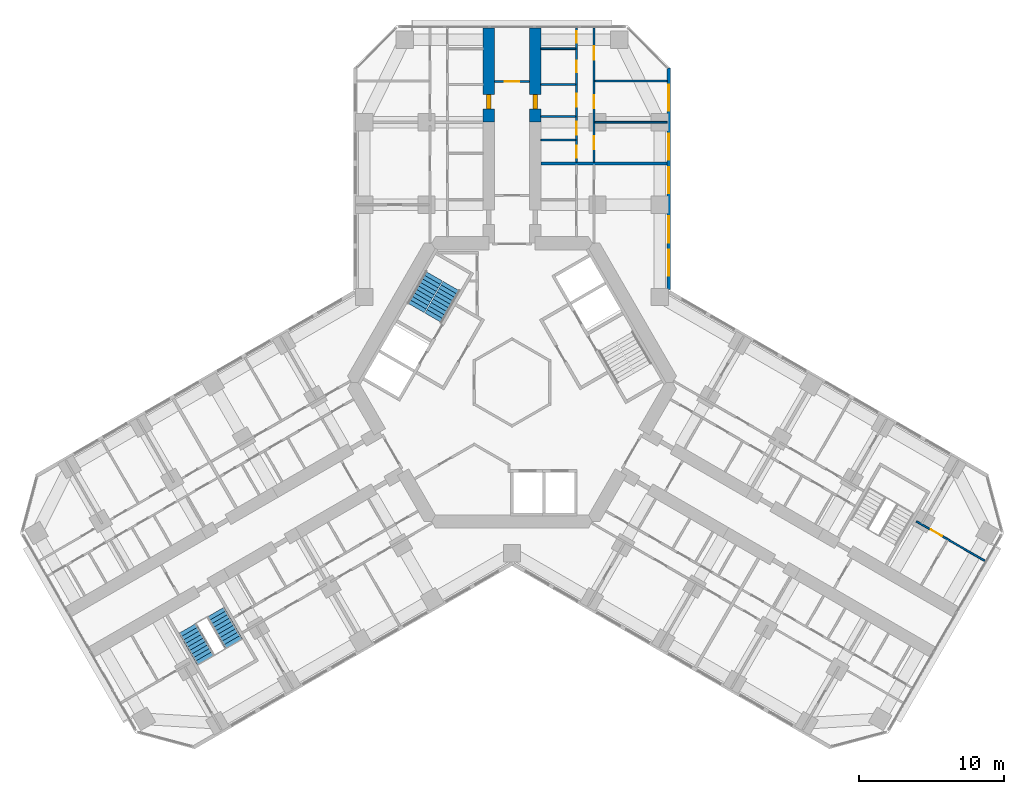
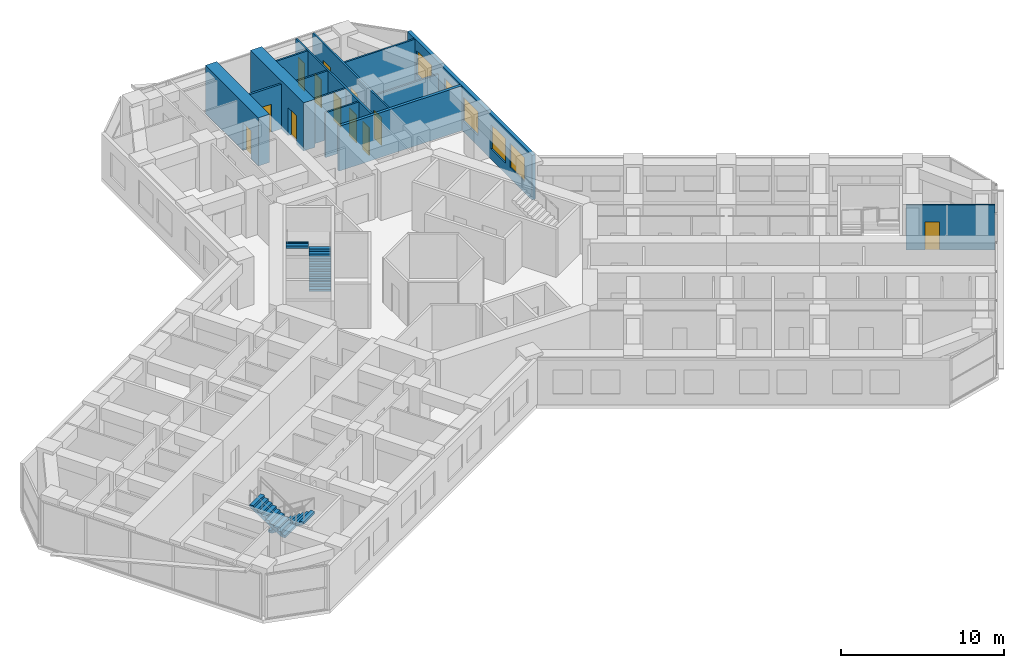
# One storey, part 18 of 20: 14 walls, 12 doors, 5 windows, 4 stair flights, 17 openings, 2 elements without a shape of their own.
"""IFC4 building model written with IfcOpenShell, lengths in metres."""

from ifc_helpers import new_model, si_unit, direction, frame, frame_2d, origin, place, context, subcontext, project, spatial, polyline, rectangle, outline, extrude, material, layer, layer_set, type_object, element, fill, aggregate, save


model = new_model("IFC4")

# Units and contexts
model_context = context("Model", 3, precision=1e-05, world=origin(), true_north=direction((0.0, 1.0)))
body_context = subcontext(model_context, "Body", "Model", "MODEL_VIEW")
ifc_project = project(units=[si_unit("LENGTHUNIT", "METRE"), si_unit("AREAUNIT", "SQUARE_METRE"), si_unit("VOLUMEUNIT", "CUBIC_METRE"), si_unit("PLANEANGLEUNIT", "RADIAN"), si_unit("MASSUNIT", "GRAM", prefix="KILO")], contexts=[model_context])

# Site, building, storey
site_placement = place(None, origin())
site = spatial("IfcSite", under=ifc_project, at=site_placement, CompositionType="ELEMENT")
building_placement = place(site_placement, origin())
building = spatial("IfcBuilding", under=site, at=building_placement, Name="Kosmar Iwan School Tower", CompositionType="ELEMENT")
storey_placement = place(building_placement, frame((0.0, 0.0, 123.800048828125)))
storey = spatial("IfcBuildingStorey", under=building, at=storey_placement, Name="L30", CompositionType="ELEMENT", Elevation=123.800048828125)

# Wall, opening, door
ifc_material_1 = material(Name="Concrete C50/60", Category="concrete")
ifc_layer_1 = layer(ifc_material_1, 0.800048828125)
ifc_layer_set_1 = layer_set([ifc_layer_1], Name="Corridor buttress wall 800")
wall_type_1 = type_object("IfcWallType", Name="Corridor buttress wall 800", PredefinedType="SHEAR", material=ifc_layer_set_1)
wall_1_placement = place(storey_placement, frame((-1.60009765625, 17.949951171875, 0.0), z_axis=(0.0, 0.0, 1.0), x_axis=(0.0, 1.0, 0.0)))
wall_1 = element("IfcWall", 1, at=wall_1_placement, inside=storey, type_object=wall_type_1, Name="Corridor wall AL bay 2", PredefinedType="SHEAR", context=body_context, shape_type="SweptSolid", body=[
    extrude(rectangle(XDim=6.4951171875, YDim=0.800048828125, at=frame_2d((3.24755859375, 0.0))), origin(), (0.0, 0.0, 1.0), 3.599853515625),
])
opening_1_placement = place(wall_1_placement, frame((0.89990234375, 0.0, 0.0)))
opening_1 = element("IfcOpeningElement", 2, at=opening_1_placement, cuts=wall_1, Name="Opening D1", PredefinedType="OPENING", context=body_context, shape_type="SweptSolid", body=[
    extrude(rectangle(XDim=1.0, YDim=2.10009765625, at=frame_2d((0.5, 1.050048828125))), frame((0.0, 0.412109375, 0.0), z_axis=(0.0, -1.0, 0.0), x_axis=(1.0, 0.0, 0.0)), (0.0, 0.0, 1.0), 0.823974609375),
])
ifc_material_2 = material(Name="Timber fire door in steel frame", Category="steel")
door_type_1 = type_object("IfcDoorType", Name="Flat entrance door 1000x2100", OperationType="SINGLE_SWING_LEFT", PredefinedType="DOOR", material=ifc_material_2)
door_1_placement = place(opening_1_placement, origin())
door_1 = element("IfcDoor", 3, at=door_1_placement, inside=storey, type_object=door_type_1, Name="Flat L30-AL2 entrance door", OperationType="SINGLE_SWING_RIGHT", OverallHeight=2.10009765625, OverallWidth=1.0, PredefinedType="DOOR", context=body_context, shape_type="SweptSolid", body=[
    extrude(rectangle(XDim=1.0, YDim=2.10009765625, at=frame_2d((0.5, 1.050048828125))), frame((0.0, 0.14990234375, 0.0), z_axis=(0.0, -1.0, 0.0), x_axis=(1.0, 0.0, 0.0)), (0.0, 0.0, 1.0), 0.300048828125),
])
fill(opening_1, door_1)

wall_2_placement = place(storey_placement, frame((1.60009765625, 17.949951171875, 0.0), z_axis=(0.0, 0.0, 1.0), x_axis=(0.0, 1.0, 0.0)))
wall_2 = element("IfcWall", 4, at=wall_2_placement, inside=storey, type_object=wall_type_1, Name="Corridor wall AR bay 2", PredefinedType="SHEAR", context=body_context, shape_type="SweptSolid", body=[
    extrude(rectangle(XDim=6.4951171875, YDim=0.800048828125, at=frame_2d((3.24755859375, 0.0))), origin(), (0.0, 0.0, 1.0), 3.599853515625),
])
opening_2_placement = place(wall_2_placement, frame((0.89990234375, 0.0, 0.0)))
opening_2 = element("IfcOpeningElement", 5, at=opening_2_placement, cuts=wall_2, Name="Opening D1", PredefinedType="OPENING", context=body_context, shape_type="SweptSolid", body=[
    extrude(rectangle(XDim=1.0, YDim=2.10009765625, at=frame_2d((0.5, 1.050048828125))), frame((0.0, 0.412109375, 0.0), z_axis=(0.0, -1.0, 0.0), x_axis=(1.0, 0.0, 0.0)), (0.0, 0.0, 1.0), 0.823974609375),
])
door_2_placement = place(opening_2_placement, origin())
door_2 = element("IfcDoor", 6, at=door_2_placement, inside=storey, type_object=door_type_1, Name="Flat L30-AR2 entrance door", OperationType="SINGLE_SWING_RIGHT", OverallHeight=2.10009765625, OverallWidth=1.0, PredefinedType="DOOR", context=body_context, shape_type="SweptSolid", body=[
    extrude(rectangle(XDim=1.0, YDim=2.10009765625, at=frame_2d((0.5, 1.050048828125))), frame((0.0, 0.14990234375, 0.0), z_axis=(0.0, -1.0, 0.0), x_axis=(1.0, 0.0, 0.0)), (0.0, 0.0, 1.0), 0.300048828125),
])
fill(opening_2, door_2)

ifc_material_3 = material(Name="Gypsum board on steel studs, fire-rated", Category="steel")
ifc_layer_2 = layer(ifc_material_3, 0.14990234375)
ifc_layer_set_2 = layer_set([ifc_layer_2], Name="Corridor end wall 150")
wall_type_2 = type_object("IfcWallType", Name="Corridor end wall 150", PredefinedType="PARTITIONING", material=ifc_layer_set_2)
wall_3_placement = place(storey_placement, frame((1.199951171875, 20.75, 0.0), z_axis=(0.0, 0.0, 1.0), x_axis=(-1.0, 0.0, 0.0)))
wall_3 = element("IfcWall", 7, at=wall_3_placement, inside=storey, type_object=wall_type_2, Name="Partition L30-A-CE", PredefinedType="PARTITIONING", context=body_context, shape_type="SweptSolid", body=[
    extrude(rectangle(XDim=2.39990234375, YDim=0.14990234375, at=frame_2d((1.199951171875, 0.0))), origin(), (0.0, 0.0, 1.0), 3.349853515625),
])
opening_3_placement = place(wall_3_placement, frame((0.699951171875, 0.0, 0.0)))
opening_3 = element("IfcOpeningElement", 8, at=opening_3_placement, cuts=wall_3, Name="Opening D13", PredefinedType="OPENING", context=body_context, shape_type="SweptSolid", body=[
    extrude(rectangle(XDim=1.0, YDim=2.10009765625, at=frame_2d((0.5, 1.050048828125))), frame((0.0, 0.0869140625, 0.0), z_axis=(0.0, -1.0, 0.0), x_axis=(1.0, 0.0, 0.0)), (0.0, 0.0, 1.0), 0.173828125),
])
ifc_material_4 = material(Name="Timber fire door with vision panel", Category="wood")
door_type_2 = type_object("IfcDoorType", Name="Corridor end door 1000x2100", OperationType="SINGLE_SWING_LEFT", PredefinedType="DOOR", material=ifc_material_4)
door_3_placement = place(opening_3_placement, origin())
door_3 = element("IfcDoor", 9, at=door_3_placement, inside=storey, type_object=door_type_2, Name="Prayer room door L30-A", OperationType="SINGLE_SWING_LEFT", OverallHeight=2.10009765625, OverallWidth=1.0, PredefinedType="DOOR", context=body_context, shape_type="SweptSolid", body=[
    extrude(rectangle(XDim=1.0, YDim=2.10009765625, at=frame_2d((0.5, 1.050048828125))), frame((0.0, 0.02490234375, 0.0), z_axis=(0.0, -1.0, 0.0), x_axis=(1.0, 0.0, 0.0)), (0.0, 0.0, 1.0), 0.050048828125),
])
fill(opening_3, door_3)

# Wall, openings, doors
ifc_material_5 = material(Name="Gypsum board on steel studs", Category="steel")
ifc_layer_3 = layer(ifc_material_5, 0.1201171875)
ifc_layer_set_3 = layer_set([ifc_layer_3], Name="Dwelling partition 120")
wall_type_3 = type_object("IfcWallType", Name="Dwelling partition 120", PredefinedType="PARTITIONING", material=ifc_layer_set_3)
wall_4_placement = place(storey_placement, frame((4.449951171875, 15.199951171875, 0.0), z_axis=(0.0, 0.0, 1.0), x_axis=(0.0, 1.0, 0.0)))
wall_4 = element("IfcWall", 10, at=wall_4_placement, inside=storey, type_object=wall_type_3, Name="Partition L30-AR2-W1", PredefinedType="PARTITIONING", context=body_context, shape_type="SweptSolid", body=[
    extrude(rectangle(XDim=9.2451171875, YDim=0.1201171875, at=frame_2d((4.62255859375, 0.0))), origin(), (0.0, 0.0, 1.0), 3.349853515625),
])
opening_4_placement = place(wall_4_placement, frame((0.3125, 0.0, 0.0)))
opening_4 = element("IfcOpeningElement", 11, at=opening_4_placement, cuts=wall_4, Name="Opening D3", PredefinedType="OPENING", context=body_context, shape_type="SweptSolid", body=[
    extrude(rectangle(XDim=0.800048828125, YDim=2.10009765625, at=frame_2d((0.39990234375, 1.050048828125))), frame((0.0, 0.072021484375, 0.0), z_axis=(0.0, -1.0, 0.0), x_axis=(1.0, 0.0, 0.0)), (0.0, 0.0, 1.0), 0.14404296875),
])
opening_5_placement = place(wall_4_placement, frame((1.887451171875, 0.0, 0.0)))
opening_5 = element("IfcOpeningElement", 12, at=opening_5_placement, cuts=wall_4, Name="Opening D2", PredefinedType="OPENING", context=body_context, shape_type="SweptSolid", body=[
    extrude(rectangle(XDim=0.89990234375, YDim=2.10009765625, at=frame_2d((0.449951171875, 1.050048828125))), frame((0.0, 0.072021484375, 0.0), z_axis=(0.0, -1.0, 0.0), x_axis=(1.0, 0.0, 0.0)), (0.0, 0.0, 1.0), 0.14404296875),
])
opening_6_placement = place(wall_4_placement, frame((3.800048828125, 0.0, 0.0)))
opening_6 = element("IfcOpeningElement", 13, at=opening_6_placement, cuts=wall_4, Name="Opening D2", PredefinedType="OPENING", context=body_context, shape_type="SweptSolid", body=[
    extrude(rectangle(XDim=0.89990234375, YDim=2.10009765625, at=frame_2d((0.449951171875, 1.050048828125))), frame((0.0, 0.072021484375, 0.0), z_axis=(0.0, -1.0, 0.0), x_axis=(1.0, 0.0, 0.0)), (0.0, 0.0, 1.0), 0.14404296875),
])
opening_7_placement = place(wall_4_placement, frame((6.179931640625, 0.0, 0.0)))
opening_7 = element("IfcOpeningElement", 14, at=opening_7_placement, cuts=wall_4, Name="Opening D3", PredefinedType="OPENING", context=body_context, shape_type="SweptSolid", body=[
    extrude(rectangle(XDim=0.800048828125, YDim=2.10009765625, at=frame_2d((0.39990234375, 1.050048828125))), frame((0.0, 0.072021484375, 0.0), z_axis=(0.0, -1.0, 0.0), x_axis=(1.0, 0.0, 0.0)), (0.0, 0.0, 1.0), 0.14404296875),
])
opening_8_placement = place(wall_4_placement, frame((8.22998046875, 0.0, 0.0)))
opening_8 = element("IfcOpeningElement", 15, at=opening_8_placement, cuts=wall_4, Name="Opening D3", PredefinedType="OPENING", context=body_context, shape_type="SweptSolid", body=[
    extrude(rectangle(XDim=0.800048828125, YDim=2.10009765625, at=frame_2d((0.39990234375, 1.050048828125))), frame((0.0, 0.072021484375, 0.0), z_axis=(0.0, -1.0, 0.0), x_axis=(1.0, 0.0, 0.0)), (0.0, 0.0, 1.0), 0.14404296875),
])
ifc_material_6 = material(Name="Timber door in timber frame", Category="wood")
door_type_3 = type_object("IfcDoorType", Name="Internal door 900x2100", OperationType="SINGLE_SWING_LEFT", PredefinedType="DOOR", material=ifc_material_6)
door_4_placement = place(opening_5_placement, origin())
door_4 = element("IfcDoor", 16, at=door_4_placement, inside=storey, type_object=door_type_3, Name="Pantry door L30-AR2-S2", OperationType="SINGLE_SWING_LEFT", OverallHeight=2.10009765625, OverallWidth=0.89990234375, PredefinedType="DOOR", context=body_context, shape_type="SweptSolid", body=[
    extrude(rectangle(XDim=0.89990234375, YDim=2.10009765625, at=frame_2d((0.449951171875, 1.050048828125))), frame((0.0, 0.02490234375, 0.0), z_axis=(0.0, -1.0, 0.0), x_axis=(1.0, 0.0, 0.0)), (0.0, 0.0, 1.0), 0.050048828125),
])
fill(opening_5, door_4)
door_5_placement = place(opening_6_placement, origin())
door_5 = element("IfcDoor", 17, at=door_5_placement, inside=storey, type_object=door_type_3, Name="Entrance hall door L30-AR2-S3", OperationType="SINGLE_SWING_RIGHT", OverallHeight=2.10009765625, OverallWidth=0.89990234375, PredefinedType="DOOR", context=body_context, shape_type="SweptSolid", body=[
    extrude(rectangle(XDim=0.89990234375, YDim=2.10009765625, at=frame_2d((0.449951171875, 1.050048828125))), frame((0.0, 0.02490234375, 0.0), z_axis=(0.0, -1.0, 0.0), x_axis=(1.0, 0.0, 0.0)), (0.0, 0.0, 1.0), 0.050048828125),
])
fill(opening_6, door_5)
ifc_material_7 = material(Name="Timber door in timber frame", Category="wood")
door_type_4 = type_object("IfcDoorType", Name="Sanitary room door 800x2100", OperationType="SINGLE_SWING_LEFT", PredefinedType="DOOR", material=ifc_material_7)
door_6_placement = place(opening_4_placement, origin())
door_6 = element("IfcDoor", 18, at=door_6_placement, inside=storey, type_object=door_type_4, Name="Store door L30-AR2-S1", OperationType="SINGLE_SWING_RIGHT", OverallHeight=2.10009765625, OverallWidth=0.800048828125, PredefinedType="DOOR", context=body_context, shape_type="SweptSolid", body=[
    extrude(rectangle(XDim=0.800048828125, YDim=2.10009765625, at=frame_2d((0.39990234375, 1.050048828125))), frame((0.0, 0.02490234375, 0.0), z_axis=(0.0, -1.0, 0.0), x_axis=(1.0, 0.0, 0.0)), (0.0, 0.0, 1.0), 0.050048828125),
])
fill(opening_4, door_6)
door_7_placement = place(opening_7_placement, origin())
door_7 = element("IfcDoor", 19, at=door_7_placement, inside=storey, type_object=door_type_4, Name="Bathroom door L30-AR2-S4", OperationType="SINGLE_SWING_LEFT", OverallHeight=2.10009765625, OverallWidth=0.800048828125, PredefinedType="DOOR", context=body_context, shape_type="SweptSolid", body=[
    extrude(rectangle(XDim=0.800048828125, YDim=2.10009765625, at=frame_2d((0.39990234375, 1.050048828125))), frame((0.0, 0.02490234375, 0.0), z_axis=(0.0, -1.0, 0.0), x_axis=(1.0, 0.0, 0.0)), (0.0, 0.0, 1.0), 0.050048828125),
])
fill(opening_7, door_7)
door_8_placement = place(opening_8_placement, origin())
door_8 = element("IfcDoor", 20, at=door_8_placement, inside=storey, type_object=door_type_4, Name="WC door L30-AR2-S5", OperationType="SINGLE_SWING_RIGHT", OverallHeight=2.10009765625, OverallWidth=0.800048828125, PredefinedType="DOOR", context=body_context, shape_type="SweptSolid", body=[
    extrude(rectangle(XDim=0.800048828125, YDim=2.10009765625, at=frame_2d((0.39990234375, 1.050048828125))), frame((0.0, 0.02490234375, 0.0), z_axis=(0.0, -1.0, 0.0), x_axis=(1.0, 0.0, 0.0)), (0.0, 0.0, 1.0), 0.050048828125),
])
fill(opening_8, door_8)

wall_5_placement = place(storey_placement, frame((5.64990234375, 15.199951171875, 0.0), z_axis=(0.0, 0.0, 1.0), x_axis=(0.0, 1.0, 0.0)))
wall_5 = element("IfcWall", 21, at=wall_5_placement, inside=storey, type_object=wall_type_3, Name="Partition L30-AR2-W2", PredefinedType="PARTITIONING", context=body_context, shape_type="SweptSolid", body=[
    extrude(rectangle(XDim=9.2451171875, YDim=0.1201171875, at=frame_2d((4.62255859375, 0.0))), origin(), (0.0, 0.0, 1.0), 3.349853515625),
])
opening_9_placement = place(wall_5_placement, frame((0.875, 0.0, 0.0)))
opening_9 = element("IfcOpeningElement", 22, at=opening_9_placement, cuts=wall_5, Name="Opening D2", PredefinedType="OPENING", context=body_context, shape_type="SweptSolid", body=[
    extrude(rectangle(XDim=0.89990234375, YDim=2.10009765625, at=frame_2d((0.449951171875, 1.050048828125))), frame((0.0, 0.072021484375, 0.0), z_axis=(0.0, -1.0, 0.0), x_axis=(1.0, 0.0, 0.0)), (0.0, 0.0, 1.0), 0.14404296875),
])
opening_10_placement = place(wall_5_placement, frame((3.72509765625, 0.0, 0.0)))
opening_10 = element("IfcOpeningElement", 23, at=opening_10_placement, cuts=wall_5, Name="Opening D2", PredefinedType="OPENING", context=body_context, shape_type="SweptSolid", body=[
    extrude(rectangle(XDim=0.89990234375, YDim=2.10009765625, at=frame_2d((0.449951171875, 1.050048828125))), frame((0.0, 0.072021484375, 0.0), z_axis=(0.0, -1.0, 0.0), x_axis=(1.0, 0.0, 0.0)), (0.0, 0.0, 1.0), 0.14404296875),
])
opening_11_placement = place(wall_5_placement, frame((7.074951171875, 0.0, 0.0)))
opening_11 = element("IfcOpeningElement", 24, at=opening_11_placement, cuts=wall_5, Name="Opening D2", PredefinedType="OPENING", context=body_context, shape_type="SweptSolid", body=[
    extrude(rectangle(XDim=0.89990234375, YDim=2.10009765625, at=frame_2d((0.449951171875, 1.050048828125))), frame((0.0, 0.072021484375, 0.0), z_axis=(0.0, -1.0, 0.0), x_axis=(1.0, 0.0, 0.0)), (0.0, 0.0, 1.0), 0.14404296875),
])
door_9_placement = place(opening_9_placement, origin())
door_9 = element("IfcDoor", 25, at=door_9_placement, inside=storey, type_object=door_type_3, Name="Family room and kitchen door L30-AR2-F1", OperationType="SINGLE_SWING_LEFT", OverallHeight=2.10009765625, OverallWidth=0.89990234375, PredefinedType="DOOR", context=body_context, shape_type="SweptSolid", body=[
    extrude(rectangle(XDim=0.89990234375, YDim=2.10009765625, at=frame_2d((0.449951171875, 1.050048828125))), frame((0.0, 0.02490234375, 0.0), z_axis=(0.0, -1.0, 0.0), x_axis=(1.0, 0.0, 0.0)), (0.0, 0.0, 1.0), 0.050048828125),
])
fill(opening_9, door_9)
door_10_placement = place(opening_10_placement, origin())
door_10 = element("IfcDoor", 26, at=door_10_placement, inside=storey, type_object=door_type_3, Name="Guest reception room door L30-AR2-F2", OperationType="SINGLE_SWING_LEFT", OverallHeight=2.10009765625, OverallWidth=0.89990234375, PredefinedType="DOOR", context=body_context, shape_type="SweptSolid", body=[
    extrude(rectangle(XDim=0.89990234375, YDim=2.10009765625, at=frame_2d((0.449951171875, 1.050048828125))), frame((0.0, 0.02490234375, 0.0), z_axis=(0.0, -1.0, 0.0), x_axis=(1.0, 0.0, 0.0)), (0.0, 0.0, 1.0), 0.050048828125),
])
fill(opening_10, door_10)
door_11_placement = place(opening_11_placement, origin())
door_11 = element("IfcDoor", 27, at=door_11_placement, inside=storey, type_object=door_type_3, Name="Bedroom 1 door L30-AR2-F3", OperationType="SINGLE_SWING_RIGHT", OverallHeight=2.10009765625, OverallWidth=0.89990234375, PredefinedType="DOOR", context=body_context, shape_type="SweptSolid", body=[
    extrude(rectangle(XDim=0.89990234375, YDim=2.10009765625, at=frame_2d((0.449951171875, 1.050048828125))), frame((0.0, 0.02490234375, 0.0), z_axis=(0.0, -1.0, 0.0), x_axis=(1.0, 0.0, 0.0)), (0.0, 0.0, 1.0), 0.050048828125),
])
fill(opening_11, door_11)

# Walls
wall_6_placement = place(storey_placement, frame((5.7099609375, 17.949951171875, 0.0), z_axis=(0.0, 0.0, 1.0), x_axis=(1.0, 0.0, 0.0)))
element("IfcWall", 28, at=wall_6_placement, inside=storey, type_object=wall_type_3, Name="Partition L30-AR2-X1", PredefinedType="PARTITIONING", context=body_context, shape_type="SweptSolid", body=[
    extrude(rectangle(XDim=4.989990234375, YDim=0.1201171875, at=frame_2d((2.4951171875, 0.0))), origin(), (0.0, 0.0, 1.0), 2.449951171875),
])
wall_7_placement = place(storey_placement, frame((5.7099609375, 20.800048828125, 0.0), z_axis=(0.0, 0.0, 1.0), x_axis=(1.0, 0.0, 0.0)))
element("IfcWall", 29, at=wall_7_placement, inside=storey, type_object=wall_type_3, Name="Partition L30-AR2-X2", PredefinedType="PARTITIONING", context=body_context, shape_type="SweptSolid", body=[
    extrude(rectangle(XDim=4.989990234375, YDim=0.1201171875, at=frame_2d((2.4951171875, 0.0))), origin(), (0.0, 0.0, 1.0), 3.349853515625),
])
for number, where, z_axis, x_axis, name in (
    (30, (2.0, 16.72509765625, 0.0), (0.0, 0.0, 1.0), (1.0, 0.0, 0.0), "Partition L30-AR2-Y1"),
    (31, (2.0, 18.35009765625, 0.0), (0.0, 0.0, 1.0), (1.0, 0.0, 0.0), "Partition L30-AR2-Y2"),
    (32, (2.0, 20.550048828125, 0.0), (0.0, 0.0, 1.0), (1.0, 0.0, 0.0), "Partition L30-AR2-Y3"),
    (33, (2.0, 23.010009765625, 0.0), (0.0, 0.0, 1.0), (1.0, 0.0, 0.0), "Partition L30-AR2-Y4"),
):
    element("IfcWall", number, at=place(storey_placement, frame(where, z_axis=z_axis, x_axis=x_axis)), inside=storey, type_object=wall_type_3, Name=name, PredefinedType="PARTITIONING", context=body_context, shape_type="SweptSolid", body=[
        extrude(rectangle(XDim=2.389892578125, YDim=0.1201171875, at=frame_2d((1.19482421875, 0.0))), origin(), (0.0, 0.0, 1.0), 3.349853515625),
    ])

# Wall, opening, door
wall_8_placement = place(storey_placement, frame((27.896484375, -9.58203125, 0.0), z_axis=(0.0, 0.0, 1.0), x_axis=(0.866035508231, -0.499982498177, 0.0)))
wall_8 = element("IfcWall", 34, at=wall_8_placement, inside=storey, type_object=wall_type_3, Name="Partition L30-CL2-TW", PredefinedType="PARTITIONING", context=body_context, shape_type="SweptSolid", body=[
    extrude(rectangle(XDim=5.445068359375, YDim=0.1201171875, at=frame_2d((2.72265625, 0.0))), origin(), (0.0, 0.0, 1.0), 3.349853515625),
])
opening_12_placement = place(wall_8_placement, frame((1.14990234375, 0.0, 0.0)))
opening_12 = element("IfcOpeningElement", 35, at=opening_12_placement, cuts=wall_8, Name="Opening D2", PredefinedType="OPENING", context=body_context, shape_type="SweptSolid", body=[
    extrude(rectangle(XDim=0.89990234375, YDim=2.10009765625, at=frame_2d((0.449951171875, 1.050048828125))), frame((0.0, 0.072021484375, 0.0), z_axis=(0.0, -1.0, 0.0), x_axis=(1.0, 0.0, 0.0)), (0.0, 0.0, 1.0), 0.14404296875),
])
door_12_placement = place(opening_12_placement, origin())
door_12 = element("IfcDoor", 36, at=door_12_placement, inside=storey, type_object=door_type_3, Name="Dressing room door L30-CL2-T3", OperationType="SINGLE_SWING_LEFT", OverallHeight=2.10009765625, OverallWidth=0.89990234375, PredefinedType="DOOR", context=body_context, shape_type="SweptSolid", body=[
    extrude(rectangle(XDim=0.89990234375, YDim=2.10009765625, at=frame_2d((0.449951171875, 1.050048828125))), frame((0.0, 0.02490234375, 0.0), z_axis=(0.0, -1.0, 0.0), x_axis=(1.0, 0.0, 0.0)), (0.0, 0.0, 1.0), 0.050048828125),
])
fill(opening_12, door_12)

# Wall, openings, windows
ifc_material_8 = material(Name="Black aluminium rainscreen on insulated framing", Category="aluminium")
ifc_layer_4 = layer(ifc_material_8, 0.25)
ifc_layer_set_4 = layer_set([ifc_layer_4], Name="External wall rainscreen 250")
wall_type_4 = type_object("IfcWallType", Name="External wall rainscreen 250", PredefinedType="SOLIDWALL", material=ifc_layer_set_4)
wall_9_placement = place(storey_placement, frame((10.824951171875, 6.408935546875, 0.0), z_axis=(0.0, 0.0, 1.0), x_axis=(0.0, 1.0, 0.0)))
wall_9 = element("IfcWall", 37, at=wall_9_placement, inside=storey, type_object=wall_type_4, Name="External wall AR L30", PredefinedType="SOLIDWALL", context=body_context, shape_type="SweptSolid", body=[
    extrude(rectangle(XDim=15.2763671875, YDim=0.25, at=frame_2d((7.63818359375, 0.0))), origin(), (0.0, 0.0, 1.0), 3.349853515625),
])
opening_13_placement = place(wall_9_placement, frame((0.94091796875, 0.0, 0.800048828125)))
opening_13 = element("IfcOpeningElement", 38, at=opening_13_placement, cuts=wall_9, Name="Opening W1", PredefinedType="OPENING", context=body_context, shape_type="SweptSolid", body=[
    extrude(rectangle(XDim=1.800048828125, YDim=1.800048828125, at=frame_2d((0.89990234375, 0.89990234375))), frame((0.0, 0.136962890625, 0.0), z_axis=(0.0, -1.0, 0.0), x_axis=(1.0, 0.0, 0.0)), (0.0, 0.0, 1.0), 0.27392578125),
])
opening_14_placement = place(wall_9_placement, frame((3.240966796875, 0.0, 0.800048828125)))
opening_14 = element("IfcOpeningElement", 39, at=opening_14_placement, cuts=wall_9, Name="Opening W1", PredefinedType="OPENING", context=body_context, shape_type="SweptSolid", body=[
    extrude(rectangle(XDim=1.800048828125, YDim=1.800048828125, at=frame_2d((0.89990234375, 0.89990234375))), frame((0.0, 0.136962890625, 0.0), z_axis=(0.0, -1.0, 0.0), x_axis=(1.0, 0.0, 0.0)), (0.0, 0.0, 1.0), 0.27392578125),
])
opening_15_placement = place(wall_9_placement, frame((6.64111328125, 0.0, 0.800048828125)))
opening_15 = element("IfcOpeningElement", 40, at=opening_15_placement, cuts=wall_9, Name="Opening W1", PredefinedType="OPENING", context=body_context, shape_type="SweptSolid", body=[
    extrude(rectangle(XDim=1.800048828125, YDim=1.800048828125, at=frame_2d((0.89990234375, 0.89990234375))), frame((0.0, 0.136962890625, 0.0), z_axis=(0.0, -1.0, 0.0), x_axis=(1.0, 0.0, 0.0)), (0.0, 0.0, 1.0), 0.27392578125),
])
opening_16_placement = place(wall_9_placement, frame((8.94091796875, 0.0, 0.800048828125)))
opening_16 = element("IfcOpeningElement", 41, at=opening_16_placement, cuts=wall_9, Name="Opening W1", PredefinedType="OPENING", context=body_context, shape_type="SweptSolid", body=[
    extrude(rectangle(XDim=1.800048828125, YDim=1.800048828125, at=frame_2d((0.89990234375, 0.89990234375))), frame((0.0, 0.136962890625, 0.0), z_axis=(0.0, -1.0, 0.0), x_axis=(1.0, 0.0, 0.0)), (0.0, 0.0, 1.0), 0.27392578125),
])
opening_17_placement = place(wall_9_placement, frame((12.341064453125, 0.0, 0.800048828125)))
opening_17 = element("IfcOpeningElement", 42, at=opening_17_placement, cuts=wall_9, Name="Opening W1", PredefinedType="OPENING", context=body_context, shape_type="SweptSolid", body=[
    extrude(rectangle(XDim=1.800048828125, YDim=1.800048828125, at=frame_2d((0.89990234375, 0.89990234375))), frame((0.0, 0.136962890625, 0.0), z_axis=(0.0, -1.0, 0.0), x_axis=(1.0, 0.0, 0.0)), (0.0, 0.0, 1.0), 0.27392578125),
])
ifc_material_9 = material(Name="Black aluminium frame with dark triple glazing", Category="aluminium")
window_type = type_object("IfcWindowType", Name="Window 1800x1800", PartitioningType="SINGLE_PANEL", PredefinedType="WINDOW", material=ifc_material_9)
window_1_placement = place(opening_13_placement, origin())
window_1 = element("IfcWindow", 43, at=window_1_placement, inside=storey, type_object=window_type, Name="Window AR L30 -1", OverallHeight=1.800048828125, OverallWidth=1.800048828125, PartitioningType="SINGLE_PANEL", PredefinedType="WINDOW", context=body_context, shape_type="SweptSolid", body=[
    extrude(rectangle(XDim=1.800048828125, YDim=1.800048828125, at=frame_2d((0.89990234375, 0.89990234375))), frame((0.0, 0.030029296875, 0.0), z_axis=(0.0, -1.0, 0.0), x_axis=(1.0, 0.0, 0.0)), (0.0, 0.0, 1.0), 0.06005859375),
])
fill(opening_13, window_1)
window_2_placement = place(opening_14_placement, origin())
window_2 = element("IfcWindow", 44, at=window_2_placement, inside=storey, type_object=window_type, Name="Window AR L30 0", OverallHeight=1.800048828125, OverallWidth=1.800048828125, PartitioningType="SINGLE_PANEL", PredefinedType="WINDOW", context=body_context, shape_type="SweptSolid", body=[
    extrude(rectangle(XDim=1.800048828125, YDim=1.800048828125, at=frame_2d((0.89990234375, 0.89990234375))), frame((0.0, 0.030029296875, 0.0), z_axis=(0.0, -1.0, 0.0), x_axis=(1.0, 0.0, 0.0)), (0.0, 0.0, 1.0), 0.06005859375),
])
fill(opening_14, window_2)
window_3_placement = place(opening_15_placement, origin())
window_3 = element("IfcWindow", 45, at=window_3_placement, inside=storey, type_object=window_type, Name="Window AR L30 1", OverallHeight=1.800048828125, OverallWidth=1.800048828125, PartitioningType="SINGLE_PANEL", PredefinedType="WINDOW", context=body_context, shape_type="SweptSolid", body=[
    extrude(rectangle(XDim=1.800048828125, YDim=1.800048828125, at=frame_2d((0.89990234375, 0.89990234375))), frame((0.0, 0.030029296875, 0.0), z_axis=(0.0, -1.0, 0.0), x_axis=(1.0, 0.0, 0.0)), (0.0, 0.0, 1.0), 0.06005859375),
])
fill(opening_15, window_3)
window_4_placement = place(opening_16_placement, origin())
window_4 = element("IfcWindow", 46, at=window_4_placement, inside=storey, type_object=window_type, Name="Window AR L30 2", OverallHeight=1.800048828125, OverallWidth=1.800048828125, PartitioningType="SINGLE_PANEL", PredefinedType="WINDOW", context=body_context, shape_type="SweptSolid", body=[
    extrude(rectangle(XDim=1.800048828125, YDim=1.800048828125, at=frame_2d((0.89990234375, 0.89990234375))), frame((0.0, 0.030029296875, 0.0), z_axis=(0.0, -1.0, 0.0), x_axis=(1.0, 0.0, 0.0)), (0.0, 0.0, 1.0), 0.06005859375),
])
fill(opening_16, window_4)
window_5_placement = place(opening_17_placement, origin())
window_5 = element("IfcWindow", 47, at=window_5_placement, inside=storey, type_object=window_type, Name="Window AR L30 3", OverallHeight=1.800048828125, OverallWidth=1.800048828125, PartitioningType="SINGLE_PANEL", PredefinedType="WINDOW", context=body_context, shape_type="SweptSolid", body=[
    extrude(rectangle(XDim=1.800048828125, YDim=1.800048828125, at=frame_2d((0.89990234375, 0.89990234375))), frame((0.0, 0.030029296875, 0.0), z_axis=(0.0, -1.0, 0.0), x_axis=(1.0, 0.0, 0.0)), (0.0, 0.0, 1.0), 0.06005859375),
])
fill(opening_17, window_5)

# Wall
ifc_material_10 = material(Name="Concrete block masonry", Category="masonry")
ifc_layer_5 = layer(ifc_material_10, 0.199951171875)
ifc_layer_set_5 = layer_set([ifc_layer_5], Name="Party wall 200")
wall_type_5 = type_object("IfcWallType", Name="Party wall 200", PredefinedType="PARTITIONING", material=ifc_layer_set_5)
wall_10_placement = place(storey_placement, frame((2.0, 15.10009765625, 0.0), z_axis=(0.0, 0.0, 1.0), x_axis=(1.0, 0.0, 0.0)))
element("IfcWall", 48, at=wall_10_placement, inside=storey, type_object=wall_type_5, Name="Partition L30-AR2-PW", PredefinedType="PARTITIONING", context=body_context, shape_type="SweptSolid", body=[
    extrude(rectangle(XDim=8.699951171875, YDim=0.199951171875, at=frame_2d((4.35009765625, 0.0))), origin(), (0.0, 0.0, 1.0), 3.349853515625),
])

# Stair, stair flights
ifc_material_11 = material(Name="Concrete C35/45", Category="concrete")
stair_type_1 = type_object("IfcStairType", Name="Escape stair 3600", PredefinedType="HALF_TURN_STAIR", material=ifc_material_11)
stair_1_placement = place(storey_placement, origin())
stair_1 = element("IfcStair", 49, at=stair_1_placement, inside=storey, type_object=stair_type_1, Name="Stair WS2 L30", PredefinedType="HALF_TURN_STAIR")
ifc_material_12 = material(Name="Concrete C35/45", Category="concrete")
stair_flight_type_1 = type_object("IfcStairFlightType", Name="Escape stair flight 1350", PredefinedType="STRAIGHT", material=ifc_material_12)
stair_flight_1_placement = place(storey_placement, frame((-20.44189453125, -15.843505859375, 0.0), z_axis=(0.0, 0.0, 1.0), x_axis=(0.5, -0.866025403784, 0.0)))
stair_flight_1 = element("IfcStairFlight", 50, at=stair_flight_1_placement, type_object=stair_flight_type_1, Name="WS2 flight 1", NumberOfRisers=10, NumberOfTreads=9, PredefinedType="STRAIGHT", RiserHeight=0.18, TreadLength=0.28, context=body_context, shape_type="SweptSolid", body=[
    extrude(outline(polyline([(0.0, 0.0), (0.0, 0.179931640625), (0.280029296875, 0.179931640625), (0.280029296875, 0.360107421875), (0.56005859375, 0.360107421875), (0.56005859375, 0.5400390625), (0.840087890625, 0.5400390625), (0.840087890625, 0.719970703125), (1.1201171875, 0.719970703125), (1.1201171875, 0.89990234375), (1.39990234375, 0.89990234375), (1.39990234375, 1.080078125), (1.679931640625, 1.080078125), (1.679931640625, 1.260009765625), (1.9599609375, 1.260009765625), (1.9599609375, 1.43994140625), (2.239990234375, 1.43994140625), (2.239990234375, 1.6201171875), (2.52001953125, 1.6201171875), (2.52001953125, 1.800048828125), (2.52001953125, 1.44189453125), (0.277099609375, 0.0), (0.0, 0.0)])), frame((0.0, 0.675048828125, 0.0), z_axis=(0.0, -1.0, 0.0), x_axis=(1.0, 0.0, 0.0)), (0.0, 0.0, 1.0), 1.35009765625),
])
stair_flight_2_placement = place(storey_placement, frame((-21.13037109375, -19.15087890625, 1.800048828125), z_axis=(0.0, 0.0, 1.0), x_axis=(-0.5, 0.866025403784, 0.0)))
stair_flight_2 = element("IfcStairFlight", 51, at=stair_flight_2_placement, type_object=stair_flight_type_1, Name="WS2 flight 2", NumberOfRisers=10, NumberOfTreads=9, PredefinedType="STRAIGHT", RiserHeight=0.18, TreadLength=0.28, context=body_context, shape_type="SweptSolid", body=[
    extrude(outline(polyline([(0.0, 0.0), (0.0, 0.179931640625), (0.280029296875, 0.179931640625), (0.280029296875, 0.360107421875), (0.56005859375, 0.360107421875), (0.56005859375, 0.5400390625), (0.840087890625, 0.5400390625), (0.840087890625, 0.719970703125), (1.1201171875, 0.719970703125), (1.1201171875, 0.89990234375), (1.39990234375, 0.89990234375), (1.39990234375, 1.080078125), (1.679931640625, 1.080078125), (1.679931640625, 1.260009765625), (1.9599609375, 1.260009765625), (1.9599609375, 1.43994140625), (2.239990234375, 1.43994140625), (2.239990234375, 1.6201171875), (2.52001953125, 1.6201171875), (2.52001953125, 1.800048828125), (2.52001953125, 1.44189453125), (0.277099609375, 0.0), (0.0, 0.0)])), frame((0.0, 0.675048828125, 0.0), z_axis=(0.0, -1.0, 0.0), x_axis=(1.0, 0.0, 0.0)), (0.0, 0.0, 1.0), 1.35009765625),
])
aggregate(stair_1, [stair_flight_1, stair_flight_2])

ifc_material_13 = material(Name="Concrete C35/45", Category="concrete")
stair_type_2 = type_object("IfcStairType", Name="Core stair 2750", PredefinedType="HALF_TURN_STAIR", material=ifc_material_13)
stair_2_placement = place(storey_placement, origin())
stair_2 = element("IfcStair", 52, at=stair_2_placement, inside=storey, type_object=stair_type_2, Name="Stair ST2 L30", PredefinedType="HALF_TURN_STAIR")
ifc_material_14 = material(Name="Concrete C35/45", Category="concrete")
stair_flight_type_2 = type_object("IfcStairFlightType", Name="Stair flight 1350", PredefinedType="STRAIGHT", material=ifc_material_14)
stair_flight_3_placement = place(storey_placement, frame((-5.42724609375, 4.44970703125, 0.0), z_axis=(0.0, 0.0, 1.0), x_axis=(0.5, 0.866025403784, 0.0)))
stair_flight_3 = element("IfcStairFlight", 53, at=stair_flight_3_placement, type_object=stair_flight_type_2, Name="ST2 flight 1", NumberOfRisers=10, NumberOfTreads=9, PredefinedType="STRAIGHT", RiserHeight=0.18, TreadLength=0.28, context=body_context, shape_type="SweptSolid", body=[
    extrude(outline(polyline([(0.0, 0.0), (0.0, 0.179931640625), (0.280029296875, 0.179931640625), (0.280029296875, 0.360107421875), (0.56005859375, 0.360107421875), (0.56005859375, 0.5400390625), (0.840087890625, 0.5400390625), (0.840087890625, 0.719970703125), (1.1201171875, 0.719970703125), (1.1201171875, 0.89990234375), (1.39990234375, 0.89990234375), (1.39990234375, 1.080078125), (1.679931640625, 1.080078125), (1.679931640625, 1.260009765625), (1.9599609375, 1.260009765625), (1.9599609375, 1.43994140625), (2.239990234375, 1.43994140625), (2.239990234375, 1.6201171875), (2.52001953125, 1.6201171875), (2.52001953125, 1.800048828125), (2.52001953125, 1.44189453125), (0.277099609375, 0.0), (0.0, 0.0)])), frame((0.0, 0.675048828125, 0.0), z_axis=(0.0, -1.0, 0.0), x_axis=(1.0, 0.0, 0.0)), (0.0, 0.0, 1.0), 1.35009765625),
])
stair_flight_4_placement = place(storey_placement, frame((-5.379638671875, 7.33203125, 1.800048828125), z_axis=(0.0, 0.0, 1.0), x_axis=(-0.5, -0.866025403784, 0.0)))
stair_flight_4 = element("IfcStairFlight", 54, at=stair_flight_4_placement, type_object=stair_flight_type_2, Name="ST2 flight 2", NumberOfRisers=10, NumberOfTreads=9, PredefinedType="STRAIGHT", RiserHeight=0.18, TreadLength=0.28, context=body_context, shape_type="SweptSolid", body=[
    extrude(outline(polyline([(0.0, 0.0), (0.0, 0.179931640625), (0.280029296875, 0.179931640625), (0.280029296875, 0.360107421875), (0.56005859375, 0.360107421875), (0.56005859375, 0.5400390625), (0.840087890625, 0.5400390625), (0.840087890625, 0.719970703125), (1.1201171875, 0.719970703125), (1.1201171875, 0.89990234375), (1.39990234375, 0.89990234375), (1.39990234375, 1.080078125), (1.679931640625, 1.080078125), (1.679931640625, 1.260009765625), (1.9599609375, 1.260009765625), (1.9599609375, 1.43994140625), (2.239990234375, 1.43994140625), (2.239990234375, 1.6201171875), (2.52001953125, 1.6201171875), (2.52001953125, 1.800048828125), (2.52001953125, 1.44189453125), (0.277099609375, 0.0), (0.0, 0.0)])), frame((0.0, 0.675048828125, 0.0), z_axis=(0.0, -1.0, 0.0), x_axis=(1.0, 0.0, 0.0)), (0.0, 0.0, 1.0), 1.35009765625),
])
aggregate(stair_2, [stair_flight_3, stair_flight_4])

save(model, "model.ifc")
